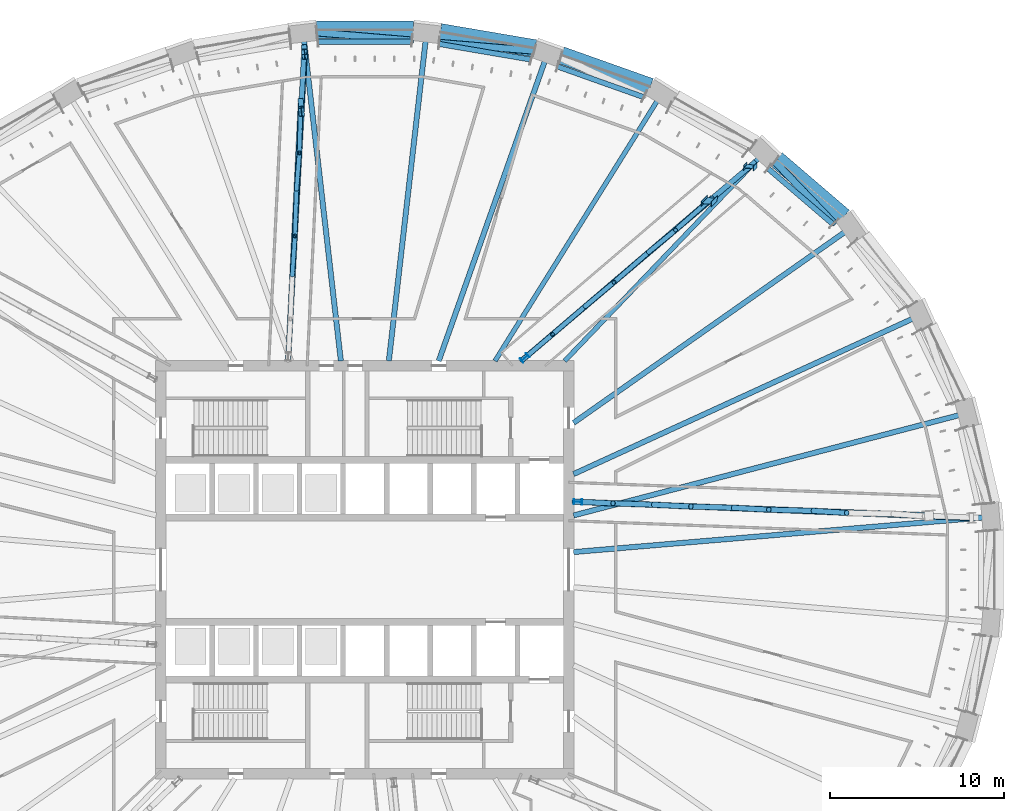
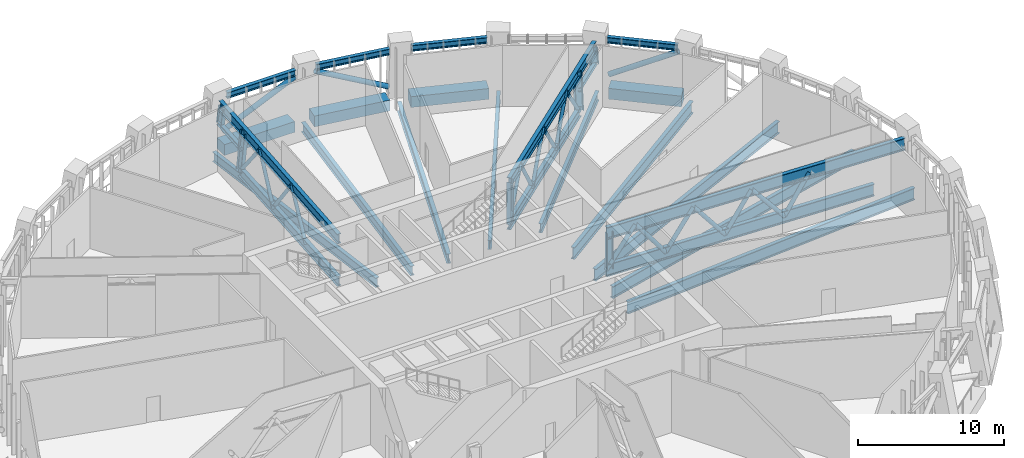
# One storey, part 5 of 22: 38 members, 13 beams.
"""IFC4 building model written with IfcOpenShell, lengths in metres."""

from ifc_helpers import new_model, si_unit, direction, frame, origin, origin_2d, place, context, subcontext, project, spatial, rectangle, hollow_circle, i_section, extrude, material, material_profile, profile_set, type_object, element, save


model = new_model("IFC4")

# Units and contexts
model_context = context("Model", 3, precision=1e-05, world=origin(), true_north=direction((0.0, 1.0)))
body_context = subcontext(model_context, "Body", "Model", "MODEL_VIEW")
ifc_project = project(units=[si_unit("LENGTHUNIT", "METRE"), si_unit("AREAUNIT", "SQUARE_METRE"), si_unit("VOLUMEUNIT", "CUBIC_METRE"), si_unit("PLANEANGLEUNIT", "RADIAN"), si_unit("MASSUNIT", "GRAM", prefix="KILO")], contexts=[model_context])

# Site, building, storey
site_placement = place(None, origin())
site = spatial("IfcSite", under=ifc_project, at=site_placement, CompositionType="ELEMENT")
building_placement = place(site_placement, origin())
building = spatial("IfcBuilding", under=site, at=building_placement, Name="Halqa Exchange Tower", CompositionType="ELEMENT")
storey_placement = place(building_placement, frame((0.0, 0.0, 99.10009765625)))
storey = spatial("IfcBuildingStorey", under=building, at=storey_placement, Name="L22", CompositionType="ELEMENT", Elevation=99.10009765625)

# Members
ifc_material_1 = material(Name="Steel S355", Category="steel")
ifc_material_profile_1 = material_profile(ifc_material_1, i_section(OverallWidth=0.300048828125, OverallDepth=0.5, WebThickness=0.014404296875, FlangeThickness=0.028076171875, FilletRadius=0.027099609375, at=origin_2d()), Name="HEB 500")
ifc_profile_set_1 = profile_set([ifc_material_profile_1], Name="Steel S355")
member_type_1 = type_object("IfcMemberType", Name="Belt truss chord HEB 500", PredefinedType="CHORD", material=ifc_profile_set_1)
member_1_placement = place(storey_placement, frame((26.8544921875, 19.810302734375, 4.25), z_axis=(-0.759274080508, 0.650770981735, 0.0), x_axis=(-0.650770981735, -0.759274080508, 0.0)))
element("IfcMember", 1, at=member_1_placement, inside=storey, type_object=member_type_1, Name="Belt chord 4", PredefinedType="CHORD", context=body_context, shape_type="SweptSolid", body=[
    extrude(i_section(OverallWidth=0.300048828125, OverallDepth=0.5, WebThickness=0.014404296875, FlangeThickness=0.028076171875, FilletRadius=0.027099609375, at=origin_2d()), origin(), (0.0, 0.0, 1.0), 4.929931640625),
])
member_2_placement = place(storey_placement, frame((16.00439453125, 27.096923828125, 4.25), z_axis=(-0.942353328506, 0.334619491741, 0.0), x_axis=(-0.334619491741, -0.942353328506, 0.0)))
element("IfcMember", 2, at=member_2_placement, inside=storey, type_object=member_type_1, Name="Belt chord 6", PredefinedType="CHORD", context=body_context, shape_type="SweptSolid", body=[
    extrude(i_section(OverallWidth=0.300048828125, OverallDepth=0.5, WebThickness=0.014404296875, FlangeThickness=0.028076171875, FilletRadius=0.027099609375, at=origin_2d()), origin(), (0.0, 0.0, 1.0), 5.271484375),
])
member_3_placement = place(storey_placement, frame((9.54150390625, 29.25048828125, 4.25), z_axis=(-0.985771880532, 0.168088665744, 0.0), x_axis=(-0.168088665744, -0.985771880532, 0.0)))
element("IfcMember", 3, at=member_3_placement, inside=storey, type_object=member_type_1, Name="Belt chord 7", PredefinedType="CHORD", context=body_context, shape_type="SweptSolid", body=[
    extrude(i_section(OverallWidth=0.300048828125, OverallDepth=0.5, WebThickness=0.014404296875, FlangeThickness=0.028076171875, FilletRadius=0.027099609375, at=origin_2d()), origin(), (0.0, 0.0, 1.0), 5.3740234375),
])
member_4_placement = place(storey_placement, frame((2.704833984375, 30.2841796875, 4.25), z_axis=(-1.0, 0.0, 0.0), x_axis=(0.0, -1.0, 0.0)))
element("IfcMember", 4, at=member_4_placement, inside=storey, type_object=member_type_1, Name="Belt chord 8", PredefinedType="CHORD", context=body_context, shape_type="SweptSolid", body=[
    extrude(i_section(OverallWidth=0.300048828125, OverallDepth=0.5, WebThickness=0.014404296875, FlangeThickness=0.028076171875, FilletRadius=0.027099609375, at=origin_2d()), origin(), (0.0, 0.0, 1.0), 5.40966796875),
])
ifc_material_profile_2 = material_profile(ifc_material_1, hollow_circle(Radius=0.203125, WallThickness=0.02490234375, at=origin_2d()), Name="CHS 406.4x25")
ifc_profile_set_2 = profile_set([ifc_material_profile_2], Name="Steel S355")
member_type_2 = type_object("IfcMemberType", Name="Belt truss diagonal CHS 406.4x25", PredefinedType="BRACE", material=ifc_profile_set_2)
member_5_placement = place(storey_placement, frame((26.909912109375, 19.862548828125, 3.802978515625), z_axis=(-0.598645595997, 0.625017270264, -0.500975909865), x_axis=(-0.722178244164, -0.691707007089, 0.0)))
element("IfcMember", 5, at=member_5_placement, inside=storey, type_object=member_type_2, Name="Belt diagonal 4", PredefinedType="BRACE", context=body_context, shape_type="SweptSolid", body=[
    extrude(hollow_circle(Radius=0.203125, WallThickness=0.02490234375, at=origin_2d()), origin(), (0.0, 0.0, 1.0), 5.684326171875),
])
member_6_placement = place(storey_placement, frame((9.726318359375, 29.756103515625, 0.916748046875), z_axis=(-0.879818208498, 0.074354148576, 0.469458603696), x_axis=(-0.084210624659, -0.996447976913, 0.0)))
element("IfcMember", 6, at=member_6_placement, inside=storey, type_object=member_type_2, Name="Belt diagonal 7", PredefinedType="BRACE", context=body_context, shape_type="SweptSolid", body=[
    extrude(hollow_circle(Radius=0.203125, WallThickness=0.02490234375, at=origin_2d()), origin(), (0.0, 0.0, 1.0), 6.2255859375),
])
member_7_placement = place(storey_placement, frame((2.710693359375, 30.348876953125, 3.83935546875), z_axis=(-0.879838837222, 0.074189102417, -0.469446053981), x_axis=(-0.084023064821, -0.996463809969, 0.0)))
element("IfcMember", 7, at=member_7_placement, inside=storey, type_object=member_type_2, Name="Belt diagonal 8", PredefinedType="BRACE", context=body_context, shape_type="SweptSolid", body=[
    extrude(hollow_circle(Radius=0.203125, WallThickness=0.02490234375, at=origin_2d()), origin(), (0.0, 0.0, 1.0), 6.22607421875),
])

# Beams
ifc_material_profile_3 = material_profile(ifc_material_1, i_section(OverallWidth=0.300048828125, OverallDepth=0.989990234375, WebThickness=0.0166015625, FlangeThickness=0.031005859375, FilletRadius=0.030029296875, at=origin_2d()), Name="HEA 1000")
ifc_profile_set_3 = profile_set([ifc_material_profile_3], Name="Steel S355")
beam_type_1 = type_object("IfcBeamType", Name="Floor beam HEA 1000", PredefinedType="BEAM", material=ifc_profile_set_3)
beam_1_placement = place(storey_placement, frame((11.972412109375, 8.421875, -0.84521484375), z_axis=(0.817909909025, 0.575346313727, 0.0), x_axis=(-0.575346313727, 0.817909909025, 0.0)))
element("IfcBeam", 8, at=beam_1_placement, inside=storey, type_object=beam_type_1, Name="Radial beam 4", PredefinedType="BEAM", context=body_context, shape_type="SweptSolid", body=[
    extrude(i_section(OverallWidth=0.300048828125, OverallDepth=0.989990234375, WebThickness=0.0166015625, FlangeThickness=0.031005859375, FilletRadius=0.030029296875, at=origin_2d()), origin(), (0.0, 0.0, 1.0), 19.283447265625),
])
ifc_material_profile_4 = material_profile(ifc_material_1, i_section(OverallWidth=0.300048828125, OverallDepth=0.7900390625, WebThickness=0.014892578125, FlangeThickness=0.028076171875, FilletRadius=0.030029296875, at=origin_2d()), Name="HEA 800")
ifc_profile_set_4 = profile_set([ifc_material_profile_4], Name="Steel S355")
beam_type_2 = type_object("IfcBeamType", Name="Floor beam HEA 800", PredefinedType="BEAM", material=ifc_profile_set_4)
beam_2_placement = place(storey_placement, frame((4.23681640625, 11.971923828125, -0.7451171875), z_axis=(0.333628265903, 0.942704715269, 0.0), x_axis=(-0.942704715269, 0.333628265903, 0.0)))
element("IfcBeam", 9, at=beam_2_placement, inside=storey, type_object=beam_type_2, Name="Radial beam 7", PredefinedType="BEAM", context=body_context, shape_type="SweptSolid", body=[
    extrude(i_section(OverallWidth=0.300048828125, OverallDepth=0.7900390625, WebThickness=0.014892578125, FlangeThickness=0.028076171875, FilletRadius=0.030029296875, at=origin_2d()), origin(), (0.0, 0.0, 1.0), 18.50146484375),
])
ifc_material_profile_5 = material_profile(ifc_material_1, i_section(OverallWidth=0.300048828125, OverallDepth=1.0, WebThickness=0.01904296875, FlangeThickness=0.035888671875, FilletRadius=0.030029296875, at=origin_2d()), Name="HEB 1000")
ifc_profile_set_5 = profile_set([ifc_material_profile_5], Name="Steel S355")
beam_type_3 = type_object("IfcBeamType", Name="Floor beam HEB 1000", PredefinedType="BEAM", material=ifc_profile_set_5)
beam_3_placement = place(storey_placement, frame((11.972412109375, 1.0107421875, -0.85009765625), z_axis=(0.996455472254, 0.084121886657, 0.0), x_axis=(-0.084121886657, 0.996455472254, 0.0)))
element("IfcBeam", 10, at=beam_3_placement, inside=storey, type_object=beam_type_3, Name="Radial beam 1", PredefinedType="BEAM", context=body_context, shape_type="SweptSolid", body=[
    extrude(i_section(OverallWidth=0.300048828125, OverallDepth=1.0, WebThickness=0.01904296875, FlangeThickness=0.035888671875, FilletRadius=0.030029296875, at=origin_2d()), origin(), (0.0, 0.0, 1.0), 23.856201171875),
])
beam_4_placement = place(storey_placement, frame((11.97119140625, 3.11279296875, -0.85009765625), z_axis=(0.967821221956, 0.251638793376, 0.0), x_axis=(-0.251638793376, 0.967821221956, 0.0)))
element("IfcBeam", 11, at=beam_4_placement, inside=storey, type_object=beam_type_3, Name="Radial beam 2", PredefinedType="BEAM", context=body_context, shape_type="SweptSolid", body=[
    extrude(i_section(OverallWidth=0.300048828125, OverallDepth=1.0, WebThickness=0.01904296875, FlangeThickness=0.035888671875, FilletRadius=0.030029296875, at=origin_2d()), origin(), (0.0, 0.0, 1.0), 23.138427734375),
])
beam_5_placement = place(storey_placement, frame((11.972412109375, 5.485107421875, -0.85009765625), z_axis=(0.909124765465, 0.416523901857, 0.0), x_axis=(-0.416523901857, 0.909124765465, 0.0)))
element("IfcBeam", 12, at=beam_5_placement, inside=storey, type_object=beam_type_3, Name="Radial beam 3", PredefinedType="BEAM", context=body_context, shape_type="SweptSolid", body=[
    extrude(i_section(OverallWidth=0.300048828125, OverallDepth=1.0, WebThickness=0.01904296875, FlangeThickness=0.035888671875, FilletRadius=0.030029296875, at=origin_2d()), origin(), (0.0, 0.0, 1.0), 21.658447265625),
])
ifc_material_profile_6 = material_profile(ifc_material_1, i_section(OverallWidth=0.300048828125, OverallDepth=0.800048828125, WebThickness=0.017578125, FlangeThickness=0.032958984375, FilletRadius=0.030029296875, at=origin_2d()), Name="HEB 800")
ifc_profile_set_6 = profile_set([ifc_material_profile_6], Name="Steel S355")
beam_type_4 = type_object("IfcBeamType", Name="Floor beam HEB 800", PredefinedType="BEAM", material=ifc_profile_set_6)
for number, where, z_axis, x_axis, name in (
    (13, (1.375732421875, 11.972900390625, -0.75), (0.114150759109, 0.993463438781, 0.0), (-0.993463438781, 0.114150759109, 0.0), "Radial beam 8"),
    (14, (-1.375732421875, 11.972900390625, -0.75), (-0.114150759109, 0.993463438781, 0.0), (-0.993463438781, -0.114150759109, 0.0), "Radial beam 9"),
):
    element("IfcBeam", number, at=place(storey_placement, frame(where, z_axis=z_axis, x_axis=x_axis)), inside=storey, type_object=beam_type_4, Name=name, PredefinedType="BEAM", context=body_context, shape_type="SweptSolid", body=[
        extrude(i_section(OverallWidth=0.300048828125, OverallDepth=0.800048828125, WebThickness=0.017578125, FlangeThickness=0.032958984375, FilletRadius=0.030029296875, at=origin_2d()), origin(), (0.0, 0.0, 1.0), 18.735595703125),
    ])
ifc_material_profile_7 = material_profile(ifc_material_1, i_section(OverallWidth=0.26806640625, OverallDepth=0.77001953125, WebThickness=0.015625, FlangeThickness=0.025390625, FilletRadius=0.01708984375, at=origin_2d()), Name="IPE 750x196")
ifc_profile_set_7 = profile_set([ifc_material_profile_7], Name="Steel S355")
beam_type_5 = type_object("IfcBeamType", Name="Floor beam IPE 750x196", PredefinedType="BEAM", material=ifc_profile_set_7)
beam_6_placement = place(storey_placement, frame((11.46240234375, 11.9716796875, -0.735107421875), z_axis=(0.691571333254, 0.722308169011, 0.0), x_axis=(-0.722308169011, 0.691571333254, 0.0)))
element("IfcBeam", 15, at=beam_6_placement, inside=storey, type_object=beam_type_5, Name="Radial beam 5", PredefinedType="BEAM", context=body_context, shape_type="SweptSolid", body=[
    extrude(i_section(OverallWidth=0.26806640625, OverallDepth=0.77001953125, WebThickness=0.015625, FlangeThickness=0.025390625, FilletRadius=0.01708984375, at=origin_2d()), origin(), (0.0, 0.0, 1.0), 16.338623046875),
])
beam_7_placement = place(storey_placement, frame((7.46533203125, 11.971435546875, -0.735107421875), z_axis=(0.529141506994, 0.848533597199, 0.0), x_axis=(-0.848533597199, 0.529141506994, 0.0)))
element("IfcBeam", 16, at=beam_7_placement, inside=storey, type_object=beam_type_5, Name="Radial beam 6", PredefinedType="BEAM", context=body_context, shape_type="SweptSolid", body=[
    extrude(i_section(OverallWidth=0.26806640625, OverallDepth=0.77001953125, WebThickness=0.015625, FlangeThickness=0.025390625, FilletRadius=0.01708984375, at=origin_2d()), origin(), (0.0, 0.0, 1.0), 17.8447265625),
])

# Members
ifc_material_profile_8 = material_profile(ifc_material_1, i_section(OverallWidth=0.302001953125, OverallDepth=1.008056640625, WebThickness=0.02099609375, FlangeThickness=0.0400390625, FilletRadius=0.030029296875, at=origin_2d()), Name="HEM 1000")
ifc_profile_set_8 = profile_set([ifc_material_profile_8], Name="Steel S355")
member_type_3 = type_object("IfcMemberType", Name="Outrigger chord HEM 1000", PredefinedType="CHORD", material=ifc_profile_set_8)
member_8_placement = place(storey_placement, frame((11.97314453125, 3.90087890625, 0.50390625), z_axis=(0.999271415884, -0.038165919318, 0.0), x_axis=(0.038165919318, 0.999271415884, 0.0)))
element("IfcMember", 17, at=member_8_placement, inside=storey, type_object=member_type_3, Name="Outrigger 1 chord", PredefinedType="CHORD", context=body_context, shape_type="SweptSolid", body=[
    extrude(i_section(OverallWidth=0.302001953125, OverallDepth=1.008056640625, WebThickness=0.02099609375, FlangeThickness=0.0400390625, FilletRadius=0.030029296875, at=origin_2d()), origin(), (0.0, 0.0, 1.0), 20.668212890625),
])
member_9_placement = place(storey_placement, frame((11.97314453125, 3.90087890625, 3.60595703125), z_axis=(0.999150139695, -0.041218907639, 0.0), x_axis=(0.041218907639, 0.999150139695, 0.0)))
element("IfcMember", 18, at=member_9_placement, inside=storey, type_object=member_type_3, Name="Outrigger 1 chord", PredefinedType="CHORD", context=body_context, shape_type="SweptSolid", body=[
    extrude(i_section(OverallWidth=0.302001953125, OverallDepth=1.008056640625, WebThickness=0.02099609375, FlangeThickness=0.0400390625, FilletRadius=0.030029296875, at=origin_2d()), origin(), (0.0, 0.0, 1.0), 23.016845703125),
])
ifc_material_profile_9 = material_profile(ifc_material_1, i_section(OverallWidth=0.302978515625, OverallDepth=0.81396484375, WebThickness=0.02099609375, FlangeThickness=0.0400390625, FilletRadius=0.030029296875, at=origin_2d()), Name="HEM 800")
ifc_profile_set_9 = profile_set([ifc_material_profile_9], Name="Steel S355")
member_type_4 = type_object("IfcMemberType", Name="Outrigger chord HEM 800", PredefinedType="CHORD", material=ifc_profile_set_9)
member_10_placement = place(storey_placement, frame((8.9794921875, 11.982421875, 0.406982421875), z_axis=(0.760503054182, 0.649334354998, 0.0), x_axis=(-0.649334354998, 0.760503054182, 0.0)))
element("IfcMember", 19, at=member_10_placement, inside=storey, type_object=member_type_4, Name="Outrigger 2 chord", PredefinedType="CHORD", context=body_context, shape_type="SweptSolid", body=[
    extrude(i_section(OverallWidth=0.302978515625, OverallDepth=0.81396484375, WebThickness=0.02099609375, FlangeThickness=0.0400390625, FilletRadius=0.030029296875, at=origin_2d()), origin(), (0.0, 0.0, 1.0), 14.404296875),
])
member_11_placement = place(storey_placement, frame((8.9794921875, 11.982421875, 3.93994140625), z_axis=(0.762742342069, 0.646702496991, 0.0), x_axis=(-0.646702496991, 0.762742342069, 0.0)))
element("IfcMember", 20, at=member_11_placement, inside=storey, type_object=member_type_4, Name="Outrigger 2 chord", PredefinedType="CHORD", context=body_context, shape_type="SweptSolid", body=[
    extrude(i_section(OverallWidth=0.302978515625, OverallDepth=0.81396484375, WebThickness=0.02099609375, FlangeThickness=0.0400390625, FilletRadius=0.030029296875, at=origin_2d()), origin(), (0.0, 0.0, 1.0), 17.367919921875),
])
member_12_placement = place(storey_placement, frame((-4.4013671875, 11.97314453125, 0.406982421875), z_axis=(0.049096955013, 0.998794017307, 0.0), x_axis=(-0.998794017307, 0.049096955013, 0.0)))
element("IfcMember", 21, at=member_12_placement, inside=storey, type_object=member_type_4, Name="Outrigger 3 chord", PredefinedType="CHORD", context=body_context, shape_type="SweptSolid", body=[
    extrude(i_section(OverallWidth=0.302978515625, OverallDepth=0.81396484375, WebThickness=0.02099609375, FlangeThickness=0.0400390625, FilletRadius=0.030029296875, at=origin_2d()), origin(), (0.0, 0.0, 1.0), 14.803466796875),
])
member_13_placement = place(storey_placement, frame((-4.4013671875, 11.97314453125, 3.93994140625), z_axis=(0.054185010376, 0.998530913217, 0.0), x_axis=(-0.998530913217, 0.054185010376, 0.0)))
element("IfcMember", 22, at=member_13_placement, inside=storey, type_object=member_type_4, Name="Outrigger 3 chord", PredefinedType="CHORD", context=body_context, shape_type="SweptSolid", body=[
    extrude(i_section(OverallWidth=0.302978515625, OverallDepth=0.81396484375, WebThickness=0.02099609375, FlangeThickness=0.0400390625, FilletRadius=0.030029296875, at=origin_2d()), origin(), (0.0, 0.0, 1.0), 17.91015625),
])
ifc_material_profile_10 = material_profile(ifc_material_1, hollow_circle(Radius=0.136474609375, WallThickness=0.01611328125, at=origin_2d()), Name="CHS 273x16")
ifc_profile_set_10 = profile_set([ifc_material_profile_10], Name="Steel S355")
member_type_5 = type_object("IfcMemberType", Name="Outrigger diagonal CHS 273x16", PredefinedType="BRACE", material=ifc_profile_set_10)
member_14_placement = place(storey_placement, frame((9.0, 12.0, 0.406982421875), z_axis=(0.417696733363, 0.354151784586, 0.836723342815), x_axis=(-0.646703947152, 0.762741112527, 0.0)))
element("IfcMember", 23, at=member_14_placement, inside=storey, type_object=member_type_5, Name="Outrigger 2 diagonal", PredefinedType="BRACE", context=body_context, shape_type="SweptSolid", body=[
    extrude(hollow_circle(Radius=0.136474609375, WallThickness=0.01611328125, at=origin_2d()), origin(), (0.0, 0.0, 1.0), 4.222412109375),
])
member_15_placement = place(storey_placement, frame((10.763671875, 13.495361328125, 3.93994140625), z_axis=(0.434662376817, 0.373619380177, -0.819437109812), x_axis=(-0.651848428046, 0.758349277612, 0.0)))
element("IfcMember", 24, at=member_15_placement, inside=storey, type_object=member_type_5, Name="Outrigger 2 diagonal", PredefinedType="BRACE", context=body_context, shape_type="SweptSolid", body=[
    extrude(hollow_circle(Radius=0.136474609375, WallThickness=0.01611328125, at=origin_2d()), origin(), (0.0, 0.0, 1.0), 4.3115234375),
])
member_16_placement = place(storey_placement, frame((12.6376953125, 15.106201171875, 0.406982421875), z_axis=(0.3995472025, 0.333457575148, 0.853913390544), x_axis=(-0.64075302073, 0.76774707191, 0.0)))
element("IfcMember", 25, at=member_16_placement, inside=storey, type_object=member_type_5, Name="Outrigger 2 diagonal", PredefinedType="BRACE", context=body_context, shape_type="SweptSolid", body=[
    extrude(hollow_circle(Radius=0.136474609375, WallThickness=0.01611328125, at=origin_2d()), origin(), (0.0, 0.0, 1.0), 4.137451171875),
])
member_17_placement = place(storey_placement, frame((14.290771484375, 16.48583984375, 3.93994140625), z_axis=(0.45062075605, 0.391923661259, -0.802082775007), x_axis=(-0.656254537507, 0.754539582793, 0.0)))
element("IfcMember", 26, at=member_17_placement, inside=storey, type_object=member_type_5, Name="Outrigger 2 diagonal", PredefinedType="BRACE", context=body_context, shape_type="SweptSolid", body=[
    extrude(hollow_circle(Radius=0.136474609375, WallThickness=0.01611328125, at=origin_2d()), origin(), (0.0, 0.0, 1.0), 4.40478515625),
])
member_18_placement = place(storey_placement, frame((16.275634765625, 18.212158203125, 0.406982421875), z_axis=(0.38015194342, 0.311607845976, 0.870853058926), x_axis=(-0.633937558658, 0.773384232916, 0.0)))
element("IfcMember", 27, at=member_18_placement, inside=storey, type_object=member_type_5, Name="Outrigger 2 diagonal", PredefinedType="BRACE", context=body_context, shape_type="SweptSolid", body=[
    extrude(hollow_circle(Radius=0.136474609375, WallThickness=0.01611328125, at=origin_2d()), origin(), (0.0, 0.0, 1.0), 4.056884765625),
])
member_19_placement = place(storey_placement, frame((17.81787109375, 19.476318359375, 3.93994140625), z_axis=(0.46551775525, 0.409171885294, -0.784774864425), x_axis=(-0.660187914216, 0.751100471257, 0.0)))
element("IfcMember", 28, at=member_19_placement, inside=storey, type_object=member_type_5, Name="Outrigger 2 diagonal", PredefinedType="BRACE", context=body_context, shape_type="SweptSolid", body=[
    extrude(hollow_circle(Radius=0.136474609375, WallThickness=0.01611328125, at=origin_2d()), origin(), (0.0, 0.0, 1.0), 4.501953125),
])
member_20_placement = place(storey_placement, frame((-4.15869140625, 16.91064453125, 0.406982421875), z_axis=(0.035030604075, 0.533808021756, 0.844879785938), x_axis=(-0.99785367686, 0.06548312437, 0.0)))
element("IfcMember", 29, at=member_20_placement, inside=storey, type_object=member_type_5, Name="Outrigger 3 diagonal", PredefinedType="BRACE", context=body_context, shape_type="SweptSolid", body=[
    extrude(hollow_circle(Radius=0.136474609375, WallThickness=0.01611328125, at=origin_2d()), origin(), (0.0, 0.0, 1.0), 4.181640625),
])
member_21_placement = place(storey_placement, frame((-4.01220703125, 19.142822265625, 3.93994140625), z_axis=(0.021416211386, 0.604003226506, -0.796694074448), x_axis=(-0.999371988619, 0.035434846739, 0.0)))
element("IfcMember", 30, at=member_21_placement, inside=storey, type_object=member_type_5, Name="Outrigger 3 diagonal", PredefinedType="BRACE", context=body_context, shape_type="SweptSolid", body=[
    extrude(hollow_circle(Radius=0.136474609375, WallThickness=0.01611328125, at=origin_2d()), origin(), (0.0, 0.0, 1.0), 4.4345703125),
])
member_22_placement = place(storey_placement, frame((-3.917236328125, 21.8212890625, 0.406982421875), z_axis=(0.039791164522, 0.507530653018, 0.860714412261), x_axis=(-0.996940698865, 0.07816164626, 0.0)))
element("IfcMember", 31, at=member_22_placement, inside=storey, type_object=member_type_5, Name="Outrigger 3 diagonal", PredefinedType="BRACE", context=body_context, shape_type="SweptSolid", body=[
    extrude(hollow_circle(Radius=0.136474609375, WallThickness=0.01611328125, at=origin_2d()), origin(), (0.0, 0.0, 1.0), 4.104736328125),
])
member_23_placement = place(storey_placement, frame((-3.75390625, 23.904541015625, 3.93994140625), z_axis=(0.017262484576, 0.624740105855, -0.780641919681), x_axis=(-0.999618469521, 0.027620923085, 0.0)))
element("IfcMember", 32, at=member_23_placement, inside=storey, type_object=member_type_5, Name="Outrigger 3 diagonal", PredefinedType="BRACE", context=body_context, shape_type="SweptSolid", body=[
    extrude(hollow_circle(Radius=0.136474609375, WallThickness=0.01611328125, at=origin_2d()), origin(), (0.0, 0.0, 1.0), 4.525634765625),
])
ifc_material_profile_11 = material_profile(ifc_material_1, hollow_circle(Radius=0.161865234375, WallThickness=0.01611328125, at=origin_2d()), Name="CHS 323.9x16")
ifc_profile_set_11 = profile_set([ifc_material_profile_11], Name="Steel S355")
member_type_6 = type_object("IfcMemberType", Name="Outrigger diagonal CHS 323.9x16", PredefinedType="BRACE", material=ifc_profile_set_11)
member_24_placement = place(storey_placement, frame((12.0, 3.89990234375, 0.50390625), z_axis=(0.584079879968, -0.024073260604, 0.811339122649), x_axis=(0.041180736423, 0.999151713679, 0.0)))
element("IfcMember", 33, at=member_24_placement, inside=storey, type_object=member_type_6, Name="Outrigger 1 diagonal", PredefinedType="BRACE", context=body_context, shape_type="SweptSolid", body=[
    extrude(hollow_circle(Radius=0.161865234375, WallThickness=0.01611328125, at=origin_2d()), origin(), (0.0, 0.0, 1.0), 3.823486328125),
])
member_25_placement = place(storey_placement, frame((14.233154296875, 3.807861328125, 3.60595703125), z_axis=(0.602812903096, -0.021280180584, -0.797598744843), x_axis=(0.035279492595, 0.999377484939, 0.0)))
element("IfcMember", 34, at=member_25_placement, inside=storey, type_object=member_type_6, Name="Outrigger 1 diagonal", PredefinedType="BRACE", context=body_context, shape_type="SweptSolid", body=[
    extrude(hollow_circle(Radius=0.161865234375, WallThickness=0.01611328125, at=origin_2d()), origin(), (0.0, 0.0, 1.0), 3.88916015625),
])
member_26_placement = place(storey_placement, frame((16.57763671875, 3.72509765625, 0.50390625), z_axis=(0.564408021266, -0.02701262504, 0.825053879222), x_axis=(0.047805381313, 0.998856669156, 0.0)))
element("IfcMember", 35, at=member_26_placement, inside=storey, type_object=member_type_6, Name="Outrigger 1 diagonal", PredefinedType="BRACE", context=body_context, shape_type="SweptSolid", body=[
    extrude(hollow_circle(Radius=0.161865234375, WallThickness=0.01611328125, at=origin_2d()), origin(), (0.0, 0.0, 1.0), 3.759765625),
])
member_27_placement = place(storey_placement, frame((18.69970703125, 3.62353515625, 3.60595703125), z_axis=(0.620561840693, -0.01850950012, -0.78393902842), x_axis=(0.029813744428, 0.999555471519, 0.0)))
element("IfcMember", 36, at=member_27_placement, inside=storey, type_object=member_type_6, Name="Outrigger 1 diagonal", PredefinedType="BRACE", context=body_context, shape_type="SweptSolid", body=[
    extrude(hollow_circle(Radius=0.161865234375, WallThickness=0.01611328125, at=origin_2d()), origin(), (0.0, 0.0, 1.0), 3.95703125),
])
member_28_placement = place(storey_placement, frame((21.1552734375, 3.55029296875, 0.50390625), z_axis=(0.543725828247, -0.030034630551, 0.838725309422), x_axis=(0.055154475441, 0.998477833424, 0.0)))
element("IfcMember", 37, at=member_28_placement, inside=storey, type_object=member_type_6, Name="Outrigger 1 diagonal", PredefinedType="BRACE", context=body_context, shape_type="SweptSolid", body=[
    extrude(hollow_circle(Radius=0.161865234375, WallThickness=0.01611328125, at=origin_2d()), origin(), (0.0, 0.0, 1.0), 3.698486328125),
])
member_29_placement = place(storey_placement, frame((23.166259765625, 3.439208984375, 3.60595703125), z_axis=(0.637404128254, -0.015885083383, -0.770365913973), x_axis=(0.024913790172, 0.999689603357, 0.0)))
element("IfcMember", 38, at=member_29_placement, inside=storey, type_object=member_type_6, Name="Outrigger 1 diagonal", PredefinedType="BRACE", context=body_context, shape_type="SweptSolid", body=[
    extrude(hollow_circle(Radius=0.161865234375, WallThickness=0.01611328125, at=origin_2d()), origin(), (0.0, 0.0, 1.0), 4.026611328125),
])
member_30_placement = place(storey_placement, frame((25.73291015625, 3.375244140625, 0.50390625), z_axis=(0.522005667352, -0.033069749936, 0.852300695114), x_axis=(0.063224578158, 0.997999325008, 0.0)))
element("IfcMember", 39, at=member_30_placement, inside=storey, type_object=member_type_6, Name="Outrigger 1 diagonal", PredefinedType="BRACE", context=body_context, shape_type="SweptSolid", body=[
    extrude(hollow_circle(Radius=0.161865234375, WallThickness=0.01611328125, at=origin_2d()), origin(), (0.0, 0.0, 1.0), 3.6396484375),
])
ifc_material_profile_12 = material_profile(ifc_material_1, i_section(OverallWidth=0.300048828125, OverallDepth=0.300048828125, WebThickness=0.010986328125, FlangeThickness=0.01904296875, FilletRadius=0.027099609375, at=origin_2d()), Name="HEB 300")
ifc_profile_set_12 = profile_set([ifc_material_profile_12], Name="Steel S355")
member_type_7 = type_object("IfcMemberType", Name="Outrigger opening chord HEB 300", PredefinedType="CHORD", material=ifc_profile_set_12)
member_31_placement = place(storey_placement, frame((19.73095703125, 21.127685546875, 2.349853515625), z_axis=(0.761727181044, 0.647897909905, 0.0), x_axis=(-0.647897909905, 0.761727181044, 0.0)))
element("IfcMember", 40, at=member_31_placement, inside=storey, type_object=member_type_7, Name="Outrigger 2 opening chord", PredefinedType="CHORD", context=body_context, shape_type="SweptSolid", body=[
    extrude(i_section(OverallWidth=0.300048828125, OverallDepth=0.300048828125, WebThickness=0.010986328125, FlangeThickness=0.01904296875, FilletRadius=0.027099609375, at=origin_2d()), origin(), (0.0, 0.0, 1.0), 3.521728515625),
])
member_32_placement = place(storey_placement, frame((-3.647705078125, 26.486572265625, 2.349853515625), z_axis=(0.051837989809, 0.998655507576, 0.0), x_axis=(-0.998655507576, 0.051837989809, 0.0)))
element("IfcMember", 41, at=member_32_placement, inside=storey, type_object=member_type_7, Name="Outrigger 3 opening chord", PredefinedType="CHORD", context=body_context, shape_type="SweptSolid", body=[
    extrude(i_section(OverallWidth=0.300048828125, OverallDepth=0.300048828125, WebThickness=0.010986328125, FlangeThickness=0.01904296875, FilletRadius=0.027099609375, at=origin_2d()), origin(), (0.0, 0.0, 1.0), 3.62646484375),
])
ifc_material_profile_13 = material_profile(ifc_material_1, i_section(OverallWidth=0.300048828125, OverallDepth=0.5, WebThickness=0.014404296875, FlangeThickness=0.028076171875, FilletRadius=0.027099609375, at=origin_2d()), Name="HEB 500")
ifc_profile_set_13 = profile_set([ifc_material_profile_13], Name="Steel S355")
member_type_8 = type_object("IfcMemberType", Name="Outrigger post HEB 500", PredefinedType="POST", material=ifc_profile_set_13)
member_33_placement = place(storey_placement, frame((12.221923828125, 3.8916015625, 0.50390625), z_axis=(0.0, 0.0, 1.0), x_axis=(0.037794827812, 0.999285520255, 0.0)))
element("IfcMember", 42, at=member_33_placement, inside=storey, type_object=member_type_8, Name="Outrigger 1 post", PredefinedType="POST", context=body_context, shape_type="SweptSolid", body=[
    extrude(i_section(OverallWidth=0.300048828125, OverallDepth=0.5, WebThickness=0.014404296875, FlangeThickness=0.028076171875, FilletRadius=0.027099609375, at=origin_2d()), origin(), (0.0, 0.0, 1.0), 3.10205078125),
])
member_34_placement = place(storey_placement, frame((9.1689453125, 12.144287109375, 0.406982421875), z_axis=(0.0, 0.0, 1.0), x_axis=(-0.649540944597, 0.760326614878, 0.0)))
element("IfcMember", 43, at=member_34_placement, inside=storey, type_object=member_type_8, Name="Outrigger 2 post", PredefinedType="POST", context=body_context, shape_type="SweptSolid", body=[
    extrude(i_section(OverallWidth=0.300048828125, OverallDepth=0.5, WebThickness=0.014404296875, FlangeThickness=0.028076171875, FilletRadius=0.027099609375, at=origin_2d()), origin(), (0.0, 0.0, 1.0), 3.532958984375),
])
ifc_material_profile_14 = material_profile(ifc_material_1, i_section(OverallWidth=0.300048828125, OverallDepth=0.60009765625, WebThickness=0.015380859375, FlangeThickness=0.030029296875, FilletRadius=0.027099609375, at=origin_2d()), Name="HEB 600")
ifc_profile_set_14 = profile_set([ifc_material_profile_14], Name="Steel S355")
member_type_9 = type_object("IfcMemberType", Name="Outrigger post HEB 600", PredefinedType="POST", material=ifc_profile_set_14)
member_35_placement = place(storey_placement, frame((19.91357421875, 21.318359375, 0.406982421875), z_axis=(-0.093124763804, -0.097301683357, 0.990888571325), x_axis=(0.051666574043, 0.993400214643, 0.102403997354)))
element("IfcMember", 44, at=member_35_placement, inside=storey, type_object=member_type_9, Name="Outrigger 2 post", PredefinedType="POST", context=body_context, shape_type="SweptSolid", body=[
    extrude(i_section(OverallWidth=0.300048828125, OverallDepth=0.60009765625, WebThickness=0.015380859375, FlangeThickness=0.030029296875, FilletRadius=0.027099609375, at=origin_2d()), origin(), (0.0, 0.0, 1.0), 3.5654296875),
])
member_36_placement = place(storey_placement, frame((22.186279296875, 23.215576171875, 2.349853515625), z_axis=(-0.11579909281, -0.120945719157, 0.985881688197), x_axis=(0.049227895868, 0.990640373372, 0.127311684118)))
element("IfcMember", 45, at=member_36_placement, inside=storey, type_object=member_type_9, Name="Outrigger 2 post", PredefinedType="POST", context=body_context, shape_type="SweptSolid", body=[
    extrude(i_section(OverallWidth=0.300048828125, OverallDepth=0.60009765625, WebThickness=0.015380859375, FlangeThickness=0.030029296875, FilletRadius=0.027099609375, at=origin_2d()), origin(), (0.0, 0.0, 1.0), 1.61279296875),
])
member_37_placement = place(storey_placement, frame((-3.67578125, 26.73193359375, 0.406982421875), z_axis=(0.014395750718, -0.125380133631, 0.992004326831), x_axis=(-0.997805539809, -0.065926579153, 0.006147429348)))
element("IfcMember", 46, at=member_37_placement, inside=storey, type_object=member_type_9, Name="Outrigger 3 post", PredefinedType="POST", context=body_context, shape_type="SweptSolid", body=[
    extrude(i_section(OverallWidth=0.300048828125, OverallDepth=0.60009765625, WebThickness=0.015380859375, FlangeThickness=0.030029296875, FilletRadius=0.027099609375, at=origin_2d()), origin(), (0.0, 0.0, 1.0), 3.5615234375),
])
member_38_placement = place(storey_placement, frame((-3.474365234375, 29.8095703125, 2.349853515625), z_axis=(0.017892772792, -0.15603104409, 0.987590077898), x_axis=(-0.997790299116, -0.065999958314, 0.00765013023)))
element("IfcMember", 47, at=member_38_placement, inside=storey, type_object=member_type_9, Name="Outrigger 3 post", PredefinedType="POST", context=body_context, shape_type="SweptSolid", body=[
    extrude(i_section(OverallWidth=0.300048828125, OverallDepth=0.60009765625, WebThickness=0.015380859375, FlangeThickness=0.030029296875, FilletRadius=0.027099609375, at=origin_2d()), origin(), (0.0, 0.0, 1.0), 1.610107421875),
])

# Beams
ifc_material_2 = material(Name="Concrete C60/75", Category="concrete")
ifc_material_profile_15 = material_profile(ifc_material_2, rectangle(XDim=1.0, YDim=0.89990234375, at=origin_2d()), Name="1000 x 900")
ifc_profile_set_15 = profile_set([ifc_material_profile_15], Name="Concrete C60/75")
beam_type_6 = type_object("IfcBeamType", Name="RC spandrel beam 1000 x 900 C60/75", PredefinedType="SPANDREL", material=ifc_profile_set_15)
beam_8_placement = place(storey_placement, frame((27.4638671875, 20.2373046875, -0.4501953125), z_axis=(-0.759287164201, 0.650755716286, 0.0), x_axis=(-0.650755716286, -0.759287164201, 0.0)))
element("IfcBeam", 48, at=beam_8_placement, inside=storey, type_object=beam_type_6, Name="Spandrel 4", PredefinedType="SPANDREL", context=body_context, shape_type="SweptSolid", body=[
    extrude(rectangle(XDim=1.0, YDim=0.89990234375, at=origin_2d()), origin(), (0.0, 0.0, 1.0), 5.074951171875),
])
beam_9_placement = place(storey_placement, frame((16.376708984375, 27.691650390625, -0.4501953125), z_axis=(-0.942369615116, 0.334573621951, 0.0), x_axis=(-0.334573621951, -0.942369615116, 0.0)))
element("IfcBeam", 49, at=beam_9_placement, inside=storey, type_object=beam_type_6, Name="Spandrel 6", PredefinedType="SPANDREL", context=body_context, shape_type="SweptSolid", body=[
    extrude(rectangle(XDim=1.0, YDim=0.89990234375, at=origin_2d()), origin(), (0.0, 0.0, 1.0), 5.423828125),
])
beam_10_placement = place(storey_placement, frame((9.77001953125, 29.896240234375, -0.4501953125), z_axis=(-0.985777143165, 0.168057799621, 0.0), x_axis=(-0.168057799621, -0.985777143165, 0.0)))
element("IfcBeam", 50, at=beam_10_placement, inside=storey, type_object=beam_type_6, Name="Spandrel 7", PredefinedType="SPANDREL", context=body_context, shape_type="SweptSolid", body=[
    extrude(rectangle(XDim=1.0, YDim=0.89990234375, at=origin_2d()), origin(), (0.0, 0.0, 1.0), 5.527587890625),
])
beam_11_placement = place(storey_placement, frame((2.7822265625, 30.95556640625, -0.4501953125), z_axis=(-1.0, 0.0, 0.0), x_axis=(0.0, -1.0, 0.0)))
element("IfcBeam", 51, at=beam_11_placement, inside=storey, type_object=beam_type_6, Name="Spandrel 8", PredefinedType="SPANDREL", context=body_context, shape_type="SweptSolid", body=[
    extrude(rectangle(XDim=1.0, YDim=0.89990234375, at=origin_2d()), origin(), (0.0, 0.0, 1.0), 5.564453125),
])

save(model, "model.ifc")
